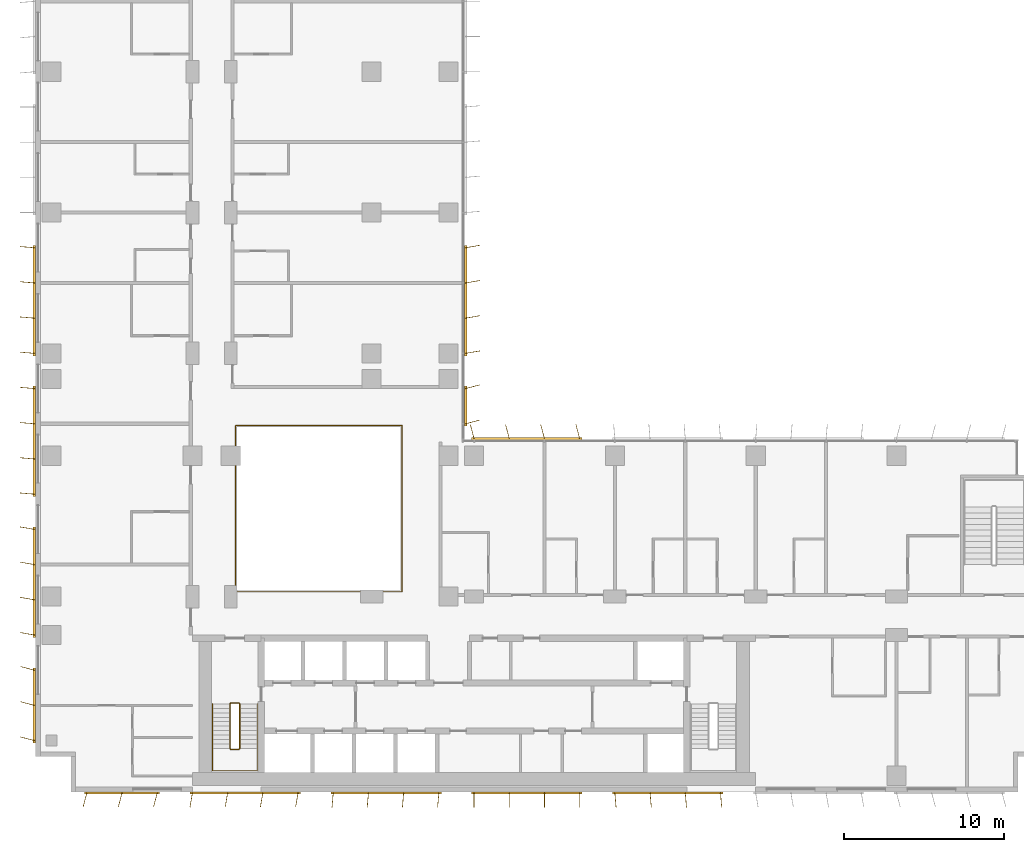
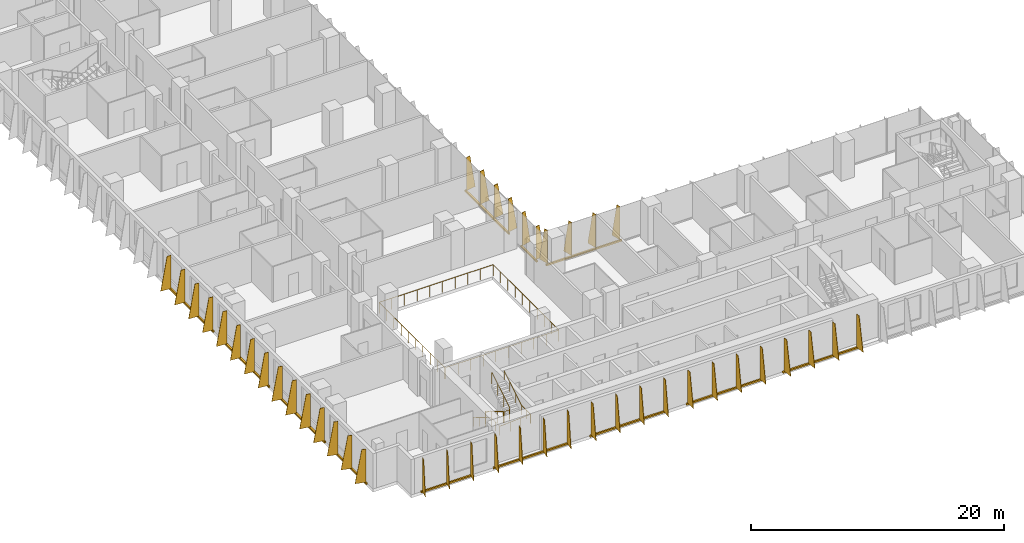
# One storey, part 20 of 23: 12 shading devices, 3 railings.
"""IFC4 building model written with IfcOpenShell, lengths in metres."""

from ifc_helpers import new_model, si_unit, direction, frame, origin, origin_2d, place, context, subcontext, project, spatial, polyline, rectangle, circle, outline, extrude, source, transform, mapped, material, layer, layer_set, type_object, element, save


model = new_model("IFC4")

# Units and contexts
model_context = context("Model", 3, precision=1e-05, world=origin(), true_north=direction((0.0, 1.0)))
body_context = subcontext(model_context, "Body", "Model", "MODEL_VIEW")
ifc_project = project(units=[si_unit("LENGTHUNIT", "METRE"), si_unit("AREAUNIT", "SQUARE_METRE"), si_unit("VOLUMEUNIT", "CUBIC_METRE"), si_unit("PLANEANGLEUNIT", "RADIAN"), si_unit("MASSUNIT", "GRAM", prefix="KILO")], contexts=[model_context])

# Site, building, storey
site_placement = place(None, origin())
site = spatial("IfcSite", under=ifc_project, at=site_placement, CompositionType="ELEMENT")
building_placement = place(site_placement, origin())
building = spatial("IfcBuilding", under=site, at=building_placement, Name="Kemantara Hotel Tower", CompositionType="ELEMENT")
storey_placement = place(building_placement, frame((0.0, 0.0, 142.0)))
storey = spatial("IfcBuildingStorey", under=building, at=storey_placement, Name="L34", CompositionType="ELEMENT", Elevation=142.0)

# Railings
ifc_material_1 = material(Name="Stainless steel and laminated glass balustrade", Category="steel")
railing_type_1 = type_object("IfcRailingType", Name="ATRIUM GUARD 1100", PredefinedType="GUARDRAIL", material=ifc_material_1)
railing_1_placement = place(storey_placement, frame((12.56005859375, 12.5, 0.0)))
element("IfcRailing", 1, at=railing_1_placement, inside=storey, type_object=railing_type_1, Name="ATRIUM GUARD L34", PredefinedType="GUARDRAIL", context=body_context, shape_type="SweptSolid", body=[
    extrude(circle(Radius=0.02490234375, at=origin_2d()), frame((0.0, 0.0, 1.0751953125), z_axis=(1.0, 0.0, 0.0), x_axis=(0.0, 1.0, 0.0)), (0.0, 0.0, 1.0), 10.33984375),
    extrude(circle(Radius=0.02490234375, at=origin_2d()), frame((10.33984375, 0.0, 1.0751953125), z_axis=(0.0, 1.0, 0.0), x_axis=(-1.0, 0.0, 0.0)), (0.0, 0.0, 1.0), 10.39990234375),
    extrude(circle(Radius=0.02490234375, at=origin_2d()), frame((10.33984375, 10.39990234375, 1.0751953125), z_axis=(-1.0, 0.0, 0.0), x_axis=(0.0, -1.0, 0.0)), (0.0, 0.0, 1.0), 10.39990234375),
    extrude(circle(Radius=0.02490234375, at=origin_2d()), frame((-0.06005859375, 10.39990234375, 1.0751953125), z_axis=(0.0, -1.0, 0.0), x_axis=(1.0, 0.0, 0.0)), (0.0, 0.0, 1.0), 10.39990234375),
    extrude(circle(Radius=0.02001953125, at=origin_2d()), origin(), (0.0, 0.0, 1.0), 1.050048828125),
    extrude(circle(Radius=0.02001953125, at=origin_2d()), frame((1.14892578125, 0.0, 0.0)), (0.0, 0.0, 1.0), 1.050048828125),
    extrude(circle(Radius=0.02001953125, at=origin_2d()), frame((2.2978515625, 0.0, 0.0)), (0.0, 0.0, 1.0), 1.050048828125),
    extrude(circle(Radius=0.02001953125, at=origin_2d()), frame((3.446533203125, 0.0, 0.0)), (0.0, 0.0, 1.0), 1.050048828125),
    extrude(circle(Radius=0.02001953125, at=origin_2d()), frame((4.595458984375, 0.0, 0.0)), (0.0, 0.0, 1.0), 1.050048828125),
    extrude(circle(Radius=0.02001953125, at=origin_2d()), frame((5.744384765625, 0.0, 0.0)), (0.0, 0.0, 1.0), 1.050048828125),
    extrude(circle(Radius=0.02001953125, at=origin_2d()), frame((6.893310546875, 0.0, 0.0)), (0.0, 0.0, 1.0), 1.050048828125),
    extrude(circle(Radius=0.02001953125, at=origin_2d()), frame((8.0419921875, 0.0, 0.0)), (0.0, 0.0, 1.0), 1.050048828125),
    extrude(circle(Radius=0.02001953125, at=origin_2d()), frame((9.19091796875, 0.0, 0.0)), (0.0, 0.0, 1.0), 1.050048828125),
    extrude(circle(Radius=0.02001953125, at=origin_2d()), frame((10.33984375, 0.0, 0.0)), (0.0, 0.0, 1.0), 1.050048828125),
    extrude(circle(Radius=0.02001953125, at=origin_2d()), frame((10.33984375, 1.155517578125, 0.0)), (0.0, 0.0, 1.0), 1.050048828125),
    extrude(circle(Radius=0.02001953125, at=origin_2d()), frame((10.33984375, 2.31103515625, 0.0)), (0.0, 0.0, 1.0), 1.050048828125),
    extrude(circle(Radius=0.02001953125, at=origin_2d()), frame((10.33984375, 3.466552734375, 0.0)), (0.0, 0.0, 1.0), 1.050048828125),
    extrude(circle(Radius=0.02001953125, at=origin_2d()), frame((10.33984375, 4.6220703125, 0.0)), (0.0, 0.0, 1.0), 1.050048828125),
    extrude(circle(Radius=0.02001953125, at=origin_2d()), frame((10.33984375, 5.77783203125, 0.0)), (0.0, 0.0, 1.0), 1.050048828125),
    extrude(circle(Radius=0.02001953125, at=origin_2d()), frame((10.33984375, 6.933349609375, 0.0)), (0.0, 0.0, 1.0), 1.050048828125),
    extrude(circle(Radius=0.02001953125, at=origin_2d()), frame((10.33984375, 8.0888671875, 0.0)), (0.0, 0.0, 1.0), 1.050048828125),
    extrude(circle(Radius=0.02001953125, at=origin_2d()), frame((10.33984375, 9.244384765625, 0.0)), (0.0, 0.0, 1.0), 1.050048828125),
    extrude(circle(Radius=0.02001953125, at=origin_2d()), frame((10.33984375, 10.39990234375, 0.0)), (0.0, 0.0, 1.0), 1.050048828125),
    extrude(circle(Radius=0.02001953125, at=origin_2d()), frame((9.184326171875, 10.39990234375, 0.0)), (0.0, 0.0, 1.0), 1.050048828125),
    extrude(circle(Radius=0.02001953125, at=origin_2d()), frame((8.02880859375, 10.39990234375, 0.0)), (0.0, 0.0, 1.0), 1.050048828125),
    extrude(circle(Radius=0.02001953125, at=origin_2d()), frame((6.873291015625, 10.39990234375, 0.0)), (0.0, 0.0, 1.0), 1.050048828125),
    extrude(circle(Radius=0.02001953125, at=origin_2d()), frame((5.7177734375, 10.39990234375, 0.0)), (0.0, 0.0, 1.0), 1.050048828125),
    extrude(circle(Radius=0.02001953125, at=origin_2d()), frame((4.56201171875, 10.39990234375, 0.0)), (0.0, 0.0, 1.0), 1.050048828125),
    extrude(circle(Radius=0.02001953125, at=origin_2d()), frame((3.406494140625, 10.39990234375, 0.0)), (0.0, 0.0, 1.0), 1.050048828125),
    extrude(circle(Radius=0.02001953125, at=origin_2d()), frame((2.2509765625, 10.39990234375, 0.0)), (0.0, 0.0, 1.0), 1.050048828125),
    extrude(circle(Radius=0.02001953125, at=origin_2d()), frame((1.095458984375, 10.39990234375, 0.0)), (0.0, 0.0, 1.0), 1.050048828125),
    extrude(circle(Radius=0.02001953125, at=origin_2d()), frame((-0.06005859375, 10.39990234375, 0.0)), (0.0, 0.0, 1.0), 1.050048828125),
    extrude(circle(Radius=0.02001953125, at=origin_2d()), frame((-0.06005859375, 9.244384765625, 0.0)), (0.0, 0.0, 1.0), 1.050048828125),
    extrude(circle(Radius=0.02001953125, at=origin_2d()), frame((-0.06005859375, 8.0888671875, 0.0)), (0.0, 0.0, 1.0), 1.050048828125),
    extrude(circle(Radius=0.02001953125, at=origin_2d()), frame((-0.06005859375, 6.933349609375, 0.0)), (0.0, 0.0, 1.0), 1.050048828125),
    extrude(circle(Radius=0.02001953125, at=origin_2d()), frame((-0.06005859375, 5.77783203125, 0.0)), (0.0, 0.0, 1.0), 1.050048828125),
    extrude(circle(Radius=0.02001953125, at=origin_2d()), frame((-0.06005859375, 4.6220703125, 0.0)), (0.0, 0.0, 1.0), 1.050048828125),
    extrude(circle(Radius=0.02001953125, at=origin_2d()), frame((-0.06005859375, 3.466552734375, 0.0)), (0.0, 0.0, 1.0), 1.050048828125),
    extrude(circle(Radius=0.02001953125, at=origin_2d()), frame((-0.06005859375, 2.31103515625, 0.0)), (0.0, 0.0, 1.0), 1.050048828125),
    extrude(circle(Radius=0.02001953125, at=origin_2d()), frame((-0.06005859375, 1.155517578125, 0.0)), (0.0, 0.0, 1.0), 1.050048828125),
    extrude(circle(Radius=0.02001953125, at=origin_2d()), frame((-0.06005859375, 0.0, 0.0)), (0.0, 0.0, 1.0), 1.050048828125),
])
ifc_material_2 = material(Name="Stainless steel balustrade", Category="steel")
railing_type_2 = type_object("IfcRailingType", Name="Stair guard 1100 mm", PredefinedType="GUARDRAIL", material=ifc_material_2)
railing_2_placement = place(storey_placement, frame((12.75, 5.5, 3.699951171875)))
element("IfcRailing", 2, at=railing_2_placement, inside=storey, type_object=railing_type_2, Name="L34 ST1 stair guard 1", PredefinedType="GUARDRAIL", context=body_context, shape_type="SweptSolid", body=[
    extrude(circle(Radius=0.02392578125, at=origin_2d()), frame((0.0, 0.0, 1.076171875), z_axis=(0.0, -0.857242210791, -0.514913383045), x_axis=(1.0, 0.0, 0.0)), (0.0, 0.0, 1.0), 3.266357421875),
    extrude(circle(Radius=0.02392578125, at=origin_2d()), frame((0.0, -2.800048828125, -0.60595703125), z_axis=(-0.274582412415, -0.274582412415, -0.921525364591), x_axis=(0.707106781187, -0.707106781187, 0.0)), (0.0, 0.0, 1.0), 0.182373046875),
    extrude(circle(Radius=0.02392578125, at=origin_2d()), frame((-0.050048828125, -2.85009765625, -0.77392578125), z_axis=(-1.0, 0.0, 0.0), x_axis=(0.0, -1.0, 0.0)), (0.0, 0.0, 1.0), 0.5),
    extrude(circle(Radius=0.02392578125, at=origin_2d()), frame((-0.550048828125, -2.85009765625, -0.77392578125), z_axis=(-0.707106781187, 0.707106781187, 0.0), x_axis=(-0.707106781187, -0.707106781187, 0.0)), (0.0, 0.0, 1.0), 0.07080078125),
    extrude(circle(Radius=0.02392578125, at=origin_2d()), frame((-0.60009765625, -2.800048828125, -0.77392578125), z_axis=(0.0, 0.857242210791, -0.514913383045), x_axis=(-1.0, 0.0, 0.0)), (0.0, 0.0, 1.0), 3.266357421875),
    extrude(circle(Radius=0.02392578125, at=origin_2d()), frame((-0.60009765625, 0.0, -2.45556640625), z_axis=(0.274243871929, 0.274243871929, -0.92172696468), x_axis=(-0.707106781187, 0.707106781187, 0.0)), (0.0, 0.0, 1.0), 0.1826171875),
    extrude(circle(Radius=0.02392578125, at=origin_2d()), frame((-0.550048828125, 0.050048828125, -2.6240234375), z_axis=(1.0, 0.0, 0.0), x_axis=(0.0, 1.0, 0.0)), (0.0, 0.0, 1.0), 0.5),
    extrude(circle(Radius=0.02099609375, at=origin_2d()), origin(), (0.0, 0.0, 1.0), 1.052001953125),
    extrude(circle(Radius=0.02099609375, at=origin_2d()), frame((0.0, -0.933349609375, -0.560546875)), (0.0, 0.0, 1.0), 1.052001953125),
    extrude(circle(Radius=0.02099609375, at=origin_2d()), frame((0.0, -1.86669921875, -1.121337890625)), (0.0, 0.0, 1.0), 1.052001953125),
    extrude(circle(Radius=0.02099609375, at=origin_2d()), frame((0.0, -2.800048828125, -1.681884765625)), (0.0, 0.0, 1.0), 1.052001953125),
    extrude(circle(Radius=0.02099609375, at=origin_2d()), frame((-0.050048828125, -2.85009765625, -1.849853515625)), (0.0, 0.0, 1.0), 1.052001953125),
    extrude(circle(Radius=0.02099609375, at=origin_2d()), frame((-0.550048828125, -2.85009765625, -1.849853515625)), (0.0, 0.0, 1.0), 1.052001953125),
    extrude(circle(Radius=0.02099609375, at=origin_2d()), frame((-0.60009765625, -2.800048828125, -1.849853515625)), (0.0, 0.0, 1.0), 1.052001953125),
    extrude(circle(Radius=0.02099609375, at=origin_2d()), frame((-0.60009765625, -1.86669921875, -2.410400390625)), (0.0, 0.0, 1.0), 1.052001953125),
    extrude(circle(Radius=0.02099609375, at=origin_2d()), frame((-0.60009765625, -0.933349609375, -2.97119140625)), (0.0, 0.0, 1.0), 1.052001953125),
    extrude(circle(Radius=0.02099609375, at=origin_2d()), frame((-0.60009765625, 0.0, -3.53173828125)), (0.0, 0.0, 1.0), 1.052001953125),
    extrude(circle(Radius=0.02099609375, at=origin_2d()), frame((-0.550048828125, 0.050048828125, -3.699951171875)), (0.0, 0.0, 1.0), 1.052001953125),
    extrude(circle(Radius=0.02099609375, at=origin_2d()), frame((-0.050048828125, 0.050048828125, -3.699951171875)), (0.0, 0.0, 1.0), 1.052001953125),
])
railing_type_3 = type_object("IfcRailingType", Name="Stair handrail 900 mm", PredefinedType="HANDRAIL", material=ifc_material_2)
railing_3_placement = place(storey_placement, frame((11.050048828125, 5.5, 0.168212890625)))
element("IfcRailing", 3, at=railing_3_placement, inside=storey, type_object=railing_type_3, Name="L34 ST1 stair handrail 1", PredefinedType="HANDRAIL", context=body_context, shape_type="SweptSolid", body=[
    extrude(circle(Radius=0.02392578125, at=origin_2d()), frame((0.0, 0.0, 0.8759765625), z_axis=(0.0, -0.857242210791, 0.514913383045), x_axis=(1.0, 0.0, 0.0)), (0.0, 0.0, 1.0), 3.266357421875),
    extrude(circle(Radius=0.02392578125, at=origin_2d()), frame((0.0, -2.800048828125, 2.5576171875), z_axis=(0.0, -1.0, 0.0), x_axis=(1.0, 0.0, 0.0)), (0.0, 0.0, 1.0), 1.3798828125),
    extrude(circle(Radius=0.02392578125, at=origin_2d()), frame((0.0, -4.179931640625, 2.5576171875), z_axis=(0.998205573864, 0.0, 0.059880149518), x_axis=(0.0, 1.0, 0.0)), (0.0, 0.0, 1.0), 2.80517578125),
    extrude(circle(Radius=0.02392578125, at=origin_2d()), frame((2.800048828125, -4.179931640625, 2.7255859375), z_axis=(0.0, 1.0, 0.0), x_axis=(-1.0, 0.0, 0.0)), (0.0, 0.0, 1.0), 1.3798828125),
    extrude(circle(Radius=0.02392578125, at=origin_2d()), frame((2.800048828125, -2.800048828125, 2.7255859375), z_axis=(0.0, 0.857242210791, 0.514913383045), x_axis=(-1.0, 0.0, 0.0)), (0.0, 0.0, 1.0), 3.266357421875),
    extrude(circle(Radius=0.02099609375, at=origin_2d()), origin(), (0.0, 0.0, 1.0), 0.851806640625),
    extrude(circle(Radius=0.02099609375, at=origin_2d()), frame((0.0, -0.933349609375, 0.560546875)), (0.0, 0.0, 1.0), 0.851806640625),
    extrude(circle(Radius=0.02099609375, at=origin_2d()), frame((0.0, -1.86669921875, 1.121337890625)), (0.0, 0.0, 1.0), 0.851806640625),
    extrude(circle(Radius=0.02099609375, at=origin_2d()), frame((0.0, -2.800048828125, 1.681884765625)), (0.0, 0.0, 1.0), 0.851806640625),
    extrude(circle(Radius=0.02099609375, at=origin_2d()), frame((0.0, -3.489990234375, 1.681884765625)), (0.0, 0.0, 1.0), 0.851806640625),
    extrude(circle(Radius=0.02099609375, at=origin_2d()), frame((0.0, -4.179931640625, 1.681884765625)), (0.0, 0.0, 1.0), 0.851806640625),
    extrude(circle(Radius=0.02099609375, at=origin_2d()), frame((0.933349609375, -4.179931640625, 1.73779296875)), (0.0, 0.0, 1.0), 0.851806640625),
    extrude(circle(Radius=0.02099609375, at=origin_2d()), frame((1.86669921875, -4.179931640625, 1.7939453125)), (0.0, 0.0, 1.0), 0.851806640625),
    extrude(circle(Radius=0.02099609375, at=origin_2d()), frame((2.800048828125, -4.179931640625, 1.849853515625)), (0.0, 0.0, 1.0), 0.851806640625),
    extrude(circle(Radius=0.02099609375, at=origin_2d()), frame((2.800048828125, -3.489990234375, 1.849853515625)), (0.0, 0.0, 1.0), 0.851806640625),
    extrude(circle(Radius=0.02099609375, at=origin_2d()), frame((2.800048828125, -2.800048828125, 1.849853515625)), (0.0, 0.0, 1.0), 0.851806640625),
    extrude(circle(Radius=0.02099609375, at=origin_2d()), frame((2.800048828125, -1.86669921875, 2.410400390625)), (0.0, 0.0, 1.0), 0.851806640625),
    extrude(circle(Radius=0.02099609375, at=origin_2d()), frame((2.800048828125, -0.933349609375, 2.97119140625)), (0.0, 0.0, 1.0), 0.851806640625),
    extrude(circle(Radius=0.02099609375, at=origin_2d()), frame((2.800048828125, 0.0, 3.53173828125)), (0.0, 0.0, 1.0), 0.851806640625),
])

# Shading devices
ifc_material_3 = material(Name="Perforated aluminium plate 4 mm bronze anodised", Category="aluminium")
ifc_layer_1 = layer(ifc_material_3, 0.0400390625)
ifc_layer_set_1 = layer_set([ifc_layer_1], Name="Perforated aluminium plate 4 mm bronze anodised")
shading_device_type_1 = type_object("IfcShadingDeviceType", Name="SCREEN FIN CASSETTE, 3 BLADES AT -15.0 DEG, 3200 HIGH", PredefinedType="USERDEFINED", material=ifc_layer_set_1)
shared_shape_1 = source(origin(), body_context, "Body", "SweptSolid", [
    extrude(rectangle(XDim=4.699951171875, YDim=0.14990234375, at=origin_2d()), frame((2.199951171875, -0.074951171875, -0.14990234375), z_axis=(0.0, 0.0, 1.0), x_axis=(1.0, 0.0, 0.0)), (0.0, 0.0, 1.0), 0.14990234375),
    extrude(outline(polyline([(0.0, 0.0), (0.89990234375, 0.0), (0.35009765625, 3.199951171875), (0.0, 3.199951171875), (0.0, 0.0)])), frame((0.019287109375, -0.080078125, 0.0), z_axis=(-0.966437683387, 0.256901156343, 0.0), x_axis=(-0.256901156343, -0.966437683387, 0.0)), (0.0, 0.0, 1.0), 0.039794921875),
    extrude(outline(polyline([(0.0, 0.0), (0.89990234375, 0.0), (0.35009765625, 3.199951171875), (0.0, 3.199951171875), (0.0, 0.0)])), frame((2.21923828125, -0.080078125, 0.0), z_axis=(-0.966437683387, 0.256901156343, 0.0), x_axis=(-0.256901156343, -0.966437683387, 0.0)), (0.0, 0.0, 1.0), 0.039794921875),
    extrude(outline(polyline([(0.0, 0.0), (0.89990234375, 0.0), (0.35009765625, 3.199951171875), (0.0, 3.199951171875), (0.0, 0.0)])), frame((4.41943359375, -0.080078125, 0.0), z_axis=(-0.966837822169, 0.255391122837, 0.0), x_axis=(-0.255391122837, -0.966837822169, 0.0)), (0.0, 0.0, 1.0), 0.0400390625),
])
for number, where, z_axis, x_axis, name in (
    (4, (0.0, 7.60009765625, 0.10009765625), (0.0, 0.0, 1.0), (0.0, -1.0, 0.0), "SCREEN FIN CASSETTE L34 T2-R04-9"),
    (5, (3.199951171875, 0.0, 0.10009765625), (0.0, 0.0, 1.0), (1.0, 0.0, 0.0), "SCREEN FIN CASSETTE L34 T2-R07-1"),
):
    element("IfcShadingDevice", number, at=place(storey_placement, frame(where, z_axis=z_axis, x_axis=x_axis)), inside=storey, type_object=shading_device_type_1, Name=name, ObjectType="SCREEN FIN", PredefinedType="USERDEFINED", context=body_context, shape_type="MappedRepresentation", body=[
        mapped(shared_shape_1, transform((0.0, 0.0, 0.0))),
    ])
ifc_layer_2 = layer(ifc_material_3, 0.0400390625)
ifc_layer_set_2 = layer_set([ifc_layer_2], Name="Perforated aluminium plate 4 mm bronze anodised")
shading_device_type_2 = type_object("IfcShadingDeviceType", Name="SCREEN FIN CASSETTE, 4 BLADES AT -10.0 DEG, 3200 HIGH", PredefinedType="USERDEFINED", material=ifc_layer_set_2)
shared_shape_2 = source(origin(), body_context, "Body", "SweptSolid", [
    extrude(rectangle(XDim=6.89990234375, YDim=0.14990234375, at=origin_2d()), frame((3.300048828125, -0.074951171875, -0.14990234375), z_axis=(0.0, 0.0, 1.0), x_axis=(1.0, 0.0, 0.0)), (0.0, 0.0, 1.0), 0.14990234375),
    extrude(outline(polyline([(0.0, 0.0), (0.89990234375, 0.0), (0.35009765625, 3.199951171875), (0.0, 3.199951171875), (0.0, 0.0)])), frame((0.019775390625, -0.078369140625, 0.0), z_axis=(-0.985389793052, 0.170314285219, 0.0), x_axis=(-0.170314285219, -0.985389793052, 0.0)), (0.0, 0.0, 1.0), 0.0400390625),
    extrude(outline(polyline([(0.0, 0.0), (0.89990234375, 0.0), (0.35009765625, 3.199951171875), (0.0, 3.199951171875), (0.0, 0.0)])), frame((2.2197265625, -0.078369140625, 0.0), z_axis=(-0.98521175482, 0.171341174751, 0.0), x_axis=(-0.171341174751, -0.98521175482, 0.0)), (0.0, 0.0, 1.0), 0.039794921875),
    extrude(outline(polyline([(0.0, 0.0), (0.89990234375, 0.0), (0.35009765625, 3.199951171875), (0.0, 3.199951171875), (0.0, 0.0)])), frame((4.419677734375, -0.078369140625, 0.0), z_axis=(-0.98521175482, 0.171341174751, 0.0), x_axis=(-0.171341174751, -0.98521175482, 0.0)), (0.0, 0.0, 1.0), 0.039794921875),
    extrude(outline(polyline([(0.0, 0.0), (0.89990234375, 0.0), (0.35009765625, 3.199951171875), (0.0, 3.199951171875), (0.0, 0.0)])), frame((6.61962890625, -0.078369140625, 0.0), z_axis=(-0.98521175482, 0.171341174751, 0.0), x_axis=(-0.171341174751, -0.98521175482, 0.0)), (0.0, 0.0, 1.0), 0.039794921875),
])
for number, where, z_axis, x_axis, name in (
    (6, (0.0, 16.39990234375, 0.10009765625), (0.0, 0.0, 1.0), (0.0, -1.0, 0.0), "SCREEN FIN CASSETTE L34 T2-R04-8"),
    (7, (9.800048828125, 0.0, 0.10009765625), (0.0, 0.0, 1.0), (1.0, 0.0, 0.0), "SCREEN FIN CASSETTE L34 T2-R07-2"),
):
    element("IfcShadingDevice", number, at=place(storey_placement, frame(where, z_axis=z_axis, x_axis=x_axis)), inside=storey, type_object=shading_device_type_2, Name=name, ObjectType="SCREEN FIN", PredefinedType="USERDEFINED", context=body_context, shape_type="MappedRepresentation", body=[
        mapped(shared_shape_2, transform((0.0, 0.0, 0.0))),
    ])
ifc_layer_3 = layer(ifc_material_3, 0.0400390625)
ifc_layer_set_3 = layer_set([ifc_layer_3], Name="Perforated aluminium plate 4 mm bronze anodised")
shading_device_type_3 = type_object("IfcShadingDeviceType", Name="SCREEN FIN CASSETTE, 4 BLADES AT -5.0 DEG, 3200 HIGH", PredefinedType="USERDEFINED", material=ifc_layer_set_3)
shared_shape_3 = source(origin(), body_context, "Body", "SweptSolid", [
    extrude(rectangle(XDim=6.89990234375, YDim=0.14990234375, at=origin_2d()), frame((3.300048828125, -0.074951171875, -0.14990234375), z_axis=(0.0, 0.0, 1.0), x_axis=(1.0, 0.0, 0.0)), (0.0, 0.0, 1.0), 0.14990234375),
    extrude(outline(polyline([(0.0, 0.0), (0.89990234375, 0.0), (0.35009765625, 3.199951171875), (0.0, 3.199951171875), (0.0, 0.0)])), frame((0.02001953125, -0.07666015625, 0.0), z_axis=(-0.996376129781, 0.085056498884, 0.0), x_axis=(-0.085056498884, -0.996376129781, 0.0)), (0.0, 0.0, 1.0), 0.040283203125),
    extrude(outline(polyline([(0.0, 0.0), (0.89990234375, 0.0), (0.35009765625, 3.199951171875), (0.0, 3.199951171875), (0.0, 0.0)])), frame((2.219970703125, -0.07666015625, 0.0), z_axis=(-0.996331773833, 0.085574508182, 0.0), x_axis=(-0.085574508182, -0.996331773833, 0.0)), (0.0, 0.0, 1.0), 0.0400390625),
    extrude(outline(polyline([(0.0, 0.0), (0.89990234375, 0.0), (0.35009765625, 3.199951171875), (0.0, 3.199951171875), (0.0, 0.0)])), frame((4.419921875, -0.07666015625, 0.0), z_axis=(-0.996331773833, 0.085574508182, 0.0), x_axis=(-0.085574508182, -0.996331773833, 0.0)), (0.0, 0.0, 1.0), 0.0400390625),
    extrude(outline(polyline([(0.0, 0.0), (0.89990234375, 0.0), (0.35009765625, 3.199951171875), (0.0, 3.199951171875), (0.0, 0.0)])), frame((6.619873046875, -0.07666015625, 0.0), z_axis=(-0.996331773833, 0.085574508182, 0.0), x_axis=(-0.085574508182, -0.996331773833, 0.0)), (0.0, 0.0, 1.0), 0.0400390625),
])
for number, where, z_axis, x_axis, name in (
    (8, (0.0, 34.0, 0.10009765625), (0.0, 0.0, 1.0), (0.0, -1.0, 0.0), "SCREEN FIN CASSETTE L34 T2-R04-6"),
    (9, (0.0, 25.199951171875, 0.10009765625), (0.0, 0.0, 1.0), (0.0, -1.0, 0.0), "SCREEN FIN CASSETTE L34 T2-R04-7"),
    (10, (18.60009765625, 0.0, 0.10009765625), (0.0, 0.0, 1.0), (1.0, 0.0, 0.0), "SCREEN FIN CASSETTE L34 T2-R07-3"),
):
    element("IfcShadingDevice", number, at=place(storey_placement, frame(where, z_axis=z_axis, x_axis=x_axis)), inside=storey, type_object=shading_device_type_3, Name=name, ObjectType="SCREEN FIN", PredefinedType="USERDEFINED", context=body_context, shape_type="MappedRepresentation", body=[
        mapped(shared_shape_3, transform((0.0, 0.0, 0.0))),
    ])
ifc_layer_4 = layer(ifc_material_3, 0.0400390625)
ifc_layer_set_4 = layer_set([ifc_layer_4], Name="Perforated aluminium plate 4 mm bronze anodised")
shading_device_type_4 = type_object("IfcShadingDeviceType", Name="SCREEN FIN CASSETTE, 4 BLADES AT +0.0 DEG, 3200 HIGH", PredefinedType="USERDEFINED", material=ifc_layer_set_4)
shared_shape_4 = source(origin(), body_context, "Body", "SweptSolid", [
    extrude(rectangle(XDim=6.89990234375, YDim=0.14990234375, at=origin_2d()), frame((3.300048828125, -0.074951171875, -0.14990234375), z_axis=(0.0, 0.0, 1.0), x_axis=(1.0, 0.0, 0.0)), (0.0, 0.0, 1.0), 0.14990234375),
    extrude(outline(polyline([(0.0, 0.0), (0.89990234375, 0.0), (0.35009765625, 3.199951171875), (0.0, 3.199951171875), (0.0, 0.0)])), frame((0.02001953125, -0.074951171875, 0.0), z_axis=(-1.0, 0.0, 0.0), x_axis=(0.0, -1.0, 0.0)), (0.0, 0.0, 1.0), 0.0400390625),
    extrude(outline(polyline([(0.0, 0.0), (0.89990234375, 0.0), (0.35009765625, 3.199951171875), (0.0, 3.199951171875), (0.0, 0.0)])), frame((2.219970703125, -0.074951171875, 0.0), z_axis=(-1.0, 0.0, 0.0), x_axis=(0.0, -1.0, 0.0)), (0.0, 0.0, 1.0), 0.0400390625),
    extrude(outline(polyline([(0.0, 0.0), (0.89990234375, 0.0), (0.35009765625, 3.199951171875), (0.0, 3.199951171875), (0.0, 0.0)])), frame((4.419921875, -0.074951171875, 0.0), z_axis=(-1.0, 0.0, 0.0), x_axis=(0.0, -1.0, 0.0)), (0.0, 0.0, 1.0), 0.0400390625),
    extrude(outline(polyline([(0.0, 0.0), (0.89990234375, 0.0), (0.35009765625, 3.199951171875), (0.0, 3.199951171875), (0.0, 0.0)])), frame((6.6201171875, -0.074951171875, 0.0), z_axis=(-1.0, 0.0, 0.0), x_axis=(0.0, -1.0, 0.0)), (0.0, 0.0, 1.0), 0.0400390625),
])
shading_device_1_placement = place(storey_placement, frame((27.39990234375, 0.0, 0.10009765625), z_axis=(0.0, 0.0, 1.0), x_axis=(1.0, 0.0, 0.0)))
element("IfcShadingDevice", 11, at=shading_device_1_placement, inside=storey, type_object=shading_device_type_4, Name="SCREEN FIN CASSETTE L34 T2-R07-4", ObjectType="SCREEN FIN", PredefinedType="USERDEFINED", context=body_context, shape_type="MappedRepresentation", body=[
    mapped(shared_shape_4, transform((0.0, 0.0, 0.0))),
])
ifc_layer_5 = layer(ifc_material_3, 0.0400390625)
ifc_layer_set_5 = layer_set([ifc_layer_5], Name="Perforated aluminium plate 4 mm bronze anodised")
shading_device_type_5 = type_object("IfcShadingDeviceType", Name="SCREEN FIN CASSETTE, 4 BLADES AT +5.0 DEG, 3200 HIGH", PredefinedType="USERDEFINED", material=ifc_layer_set_5)
shared_shape_5 = source(origin(), body_context, "Body", "SweptSolid", [
    extrude(rectangle(XDim=6.89990234375, YDim=0.14990234375, at=origin_2d()), frame((3.300048828125, -0.074951171875, -0.14990234375), z_axis=(0.0, 0.0, 1.0), x_axis=(1.0, 0.0, 0.0)), (0.0, 0.0, 1.0), 0.14990234375),
    extrude(outline(polyline([(0.0, 0.0), (0.89990234375, 0.0), (0.35009765625, 3.199951171875), (0.0, 3.199951171875), (0.0, 0.0)])), frame((0.02001953125, -0.0732421875, 0.0), z_axis=(-0.996376129781, -0.085056498884, 0.0), x_axis=(0.085056498884, -0.996376129781, 0.0)), (0.0, 0.0, 1.0), 0.040283203125),
    extrude(outline(polyline([(0.0, 0.0), (0.89990234375, 0.0), (0.35009765625, 3.199951171875), (0.0, 3.199951171875), (0.0, 0.0)])), frame((2.219970703125, -0.0732421875, 0.0), z_axis=(-0.996331773833, -0.085574508182, 0.0), x_axis=(0.085574508182, -0.996331773833, 0.0)), (0.0, 0.0, 1.0), 0.0400390625),
    extrude(outline(polyline([(0.0, 0.0), (0.89990234375, 0.0), (0.35009765625, 3.199951171875), (0.0, 3.199951171875), (0.0, 0.0)])), frame((4.419921875, -0.0732421875, 0.0), z_axis=(-0.996331773833, -0.085574508182, 0.0), x_axis=(0.085574508182, -0.996331773833, 0.0)), (0.0, 0.0, 1.0), 0.0400390625),
    extrude(outline(polyline([(0.0, 0.0), (0.89990234375, 0.0), (0.35009765625, 3.199951171875), (0.0, 3.199951171875), (0.0, 0.0)])), frame((6.619873046875, -0.0732421875, 0.0), z_axis=(-0.996331773833, -0.085574508182, 0.0), x_axis=(0.085574508182, -0.996331773833, 0.0)), (0.0, 0.0, 1.0), 0.0400390625),
])
shading_device_2_placement = place(storey_placement, frame((36.199951171875, 0.0, 0.10009765625), z_axis=(0.0, 0.0, 1.0), x_axis=(1.0, 0.0, 0.0)))
element("IfcShadingDevice", 12, at=shading_device_2_placement, inside=storey, type_object=shading_device_type_5, Name="SCREEN FIN CASSETTE L34 T2-R07-5", ObjectType="SCREEN FIN", PredefinedType="USERDEFINED", context=body_context, shape_type="MappedRepresentation", body=[
    mapped(shared_shape_5, transform((0.0, 0.0, 0.0))),
])
ifc_layer_6 = layer(ifc_material_3, 0.0400390625)
ifc_layer_set_6 = layer_set([ifc_layer_6], Name="Perforated aluminium plate 4 mm bronze anodised")
shading_device_type_6 = type_object("IfcShadingDeviceType", Name="SCREEN FIN CASSETTE, 4 BLADES AT +10.0 DEG, 3200 HIGH", PredefinedType="USERDEFINED", material=ifc_layer_set_6)
shared_shape_6 = source(origin(), body_context, "Body", "SweptSolid", [
    extrude(rectangle(XDim=6.89990234375, YDim=0.14990234375, at=origin_2d()), frame((3.300048828125, -0.074951171875, -0.14990234375), z_axis=(0.0, 0.0, 1.0), x_axis=(1.0, 0.0, 0.0)), (0.0, 0.0, 1.0), 0.14990234375),
    extrude(outline(polyline([(0.0, 0.0), (0.89990234375, 0.0), (0.35009765625, 3.199951171875), (0.0, 3.199951171875), (0.0, 0.0)])), frame((0.019775390625, -0.071533203125, 0.0), z_axis=(-0.985389793052, -0.170314285219, 0.0), x_axis=(0.170314285219, -0.985389793052, 0.0)), (0.0, 0.0, 1.0), 0.0400390625),
    extrude(outline(polyline([(0.0, 0.0), (0.89990234375, 0.0), (0.35009765625, 3.199951171875), (0.0, 3.199951171875), (0.0, 0.0)])), frame((2.2197265625, -0.071533203125, 0.0), z_axis=(-0.98521175482, -0.171341174751, 0.0), x_axis=(0.171341174751, -0.98521175482, 0.0)), (0.0, 0.0, 1.0), 0.039794921875),
    extrude(outline(polyline([(0.0, 0.0), (0.89990234375, 0.0), (0.35009765625, 3.199951171875), (0.0, 3.199951171875), (0.0, 0.0)])), frame((4.419677734375, -0.071533203125, 0.0), z_axis=(-0.98521175482, -0.171341174751, 0.0), x_axis=(0.171341174751, -0.98521175482, 0.0)), (0.0, 0.0, 1.0), 0.039794921875),
    extrude(outline(polyline([(0.0, 0.0), (0.89990234375, 0.0), (0.35009765625, 3.199951171875), (0.0, 3.199951171875), (0.0, 0.0)])), frame((6.61962890625, -0.071533203125, 0.0), z_axis=(-0.98521175482, -0.171341174751, 0.0), x_axis=(0.171341174751, -0.98521175482, 0.0)), (0.0, 0.0, 1.0), 0.039794921875),
])
shading_device_3_placement = place(storey_placement, frame((26.800048828125, 27.39990234375, 0.10009765625), z_axis=(0.0, 0.0, 1.0), x_axis=(0.0, 1.0, 0.0)))
element("IfcShadingDevice", 13, at=shading_device_3_placement, inside=storey, type_object=shading_device_type_6, Name="SCREEN FIN CASSETTE L34 T2-R14-2", ObjectType="SCREEN FIN", PredefinedType="USERDEFINED", context=body_context, shape_type="MappedRepresentation", body=[
    mapped(shared_shape_6, transform((0.0, 0.0, 0.0))),
])
ifc_layer_7 = layer(ifc_material_3, 0.0400390625)
ifc_layer_set_7 = layer_set([ifc_layer_7], Name="Perforated aluminium plate 4 mm bronze anodised")
shading_device_type_7 = type_object("IfcShadingDeviceType", Name="SCREEN FIN CASSETTE, 4 BLADES AT +15.0 DEG, 3200 HIGH", PredefinedType="USERDEFINED", material=ifc_layer_set_7)
shared_shape_7 = source(origin(), body_context, "Body", "SweptSolid", [
    extrude(rectangle(XDim=6.89990234375, YDim=0.14990234375, at=origin_2d()), frame((3.300048828125, -0.074951171875, -0.14990234375), z_axis=(0.0, 0.0, 1.0), x_axis=(1.0, 0.0, 0.0)), (0.0, 0.0, 1.0), 0.14990234375),
    extrude(outline(polyline([(0.0, 0.0), (0.89990234375, 0.0), (0.35009765625, 3.199951171875), (0.0, 3.199951171875), (0.0, 0.0)])), frame((0.019287109375, -0.06982421875, 0.0), z_axis=(-0.966437683387, -0.256901156343, 0.0), x_axis=(0.256901156343, -0.966437683387, 0.0)), (0.0, 0.0, 1.0), 0.039794921875),
    extrude(outline(polyline([(0.0, 0.0), (0.89990234375, 0.0), (0.35009765625, 3.199951171875), (0.0, 3.199951171875), (0.0, 0.0)])), frame((2.21923828125, -0.06982421875, 0.0), z_axis=(-0.966437683387, -0.256901156343, 0.0), x_axis=(0.256901156343, -0.966437683387, 0.0)), (0.0, 0.0, 1.0), 0.039794921875),
    extrude(outline(polyline([(0.0, 0.0), (0.89990234375, 0.0), (0.35009765625, 3.199951171875), (0.0, 3.199951171875), (0.0, 0.0)])), frame((4.41943359375, -0.06982421875, 0.0), z_axis=(-0.966837822169, -0.255391122837, 0.0), x_axis=(0.255391122837, -0.966837822169, 0.0)), (0.0, 0.0, 1.0), 0.0400390625),
    extrude(outline(polyline([(0.0, 0.0), (0.89990234375, 0.0), (0.35009765625, 3.199951171875), (0.0, 3.199951171875), (0.0, 0.0)])), frame((6.619384765625, -0.06982421875, 0.0), z_axis=(-0.966837822169, -0.255391122837, 0.0), x_axis=(0.255391122837, -0.966837822169, 0.0)), (0.0, 0.0, 1.0), 0.0400390625),
])
shading_device_4_placement = place(storey_placement, frame((34.0, 22.0, 0.10009765625), z_axis=(0.0, 0.0, 1.0), x_axis=(-1.0, 0.0, 0.0)))
element("IfcShadingDevice", 14, at=shading_device_4_placement, inside=storey, type_object=shading_device_type_7, Name="SCREEN FIN CASSETTE L34 T2-R13-4", ObjectType="SCREEN FIN", PredefinedType="USERDEFINED", context=body_context, shape_type="MappedRepresentation", body=[
    mapped(shared_shape_7, transform((0.0, 0.0, 0.0))),
])
ifc_layer_8 = layer(ifc_material_3, 0.0400390625)
ifc_layer_set_8 = layer_set([ifc_layer_8], Name="Perforated aluminium plate 4 mm bronze anodised")
shading_device_type_8 = type_object("IfcShadingDeviceType", Name="SCREEN FIN CASSETTE, 2 BLADES AT +15.0 DEG, 3200 HIGH", PredefinedType="USERDEFINED", material=ifc_layer_set_8)
shared_shape_8 = source(origin(), body_context, "Body", "SweptSolid", [
    extrude(rectangle(XDim=2.5, YDim=0.14990234375, at=origin_2d()), frame((1.10009765625, -0.074951171875, -0.14990234375), z_axis=(0.0, 0.0, 1.0), x_axis=(1.0, 0.0, 0.0)), (0.0, 0.0, 1.0), 0.14990234375),
    extrude(outline(polyline([(0.0, 0.0), (0.89990234375, 0.0), (0.35009765625, 3.199951171875), (0.0, 3.199951171875), (0.0, 0.0)])), frame((0.019287109375, -0.06982421875, 0.0), z_axis=(-0.966437683387, -0.256901156343, 0.0), x_axis=(0.256901156343, -0.966437683387, 0.0)), (0.0, 0.0, 1.0), 0.039794921875),
    extrude(outline(polyline([(0.0, 0.0), (0.89990234375, 0.0), (0.35009765625, 3.199951171875), (0.0, 3.199951171875), (0.0, 0.0)])), frame((2.21923828125, -0.06982421875, 0.0), z_axis=(-0.966437683387, -0.256901156343, 0.0), x_axis=(0.256901156343, -0.966437683387, 0.0)), (0.0, 0.0, 1.0), 0.039794921875),
])
shading_device_5_placement = place(storey_placement, frame((26.800048828125, 23.0, 0.10009765625), z_axis=(0.0, 0.0, 1.0), x_axis=(0.0, 1.0, 0.0)))
element("IfcShadingDevice", 15, at=shading_device_5_placement, inside=storey, type_object=shading_device_type_8, Name="SCREEN FIN CASSETTE L34 T2-R14-1", ObjectType="SCREEN FIN", PredefinedType="USERDEFINED", context=body_context, shape_type="MappedRepresentation", body=[
    mapped(shared_shape_8, transform((0.0, 0.0, 0.0))),
])

save(model, "model.ifc")
